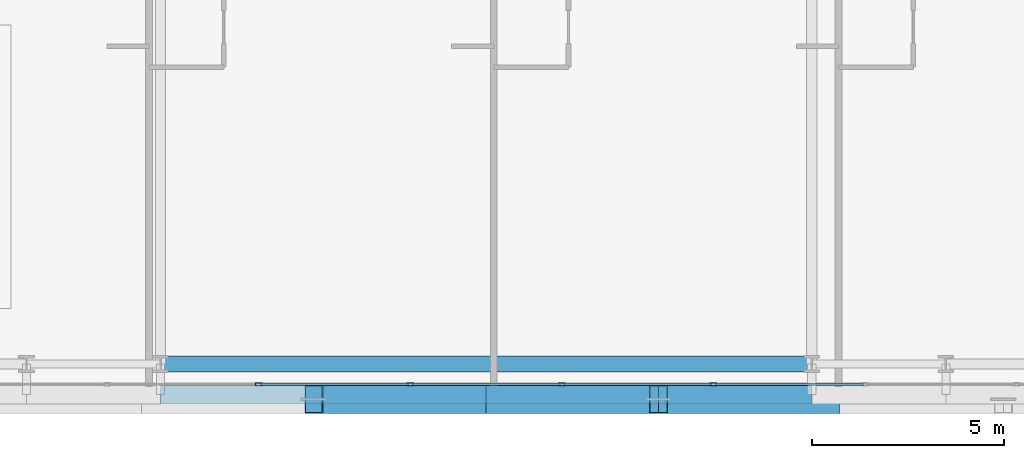
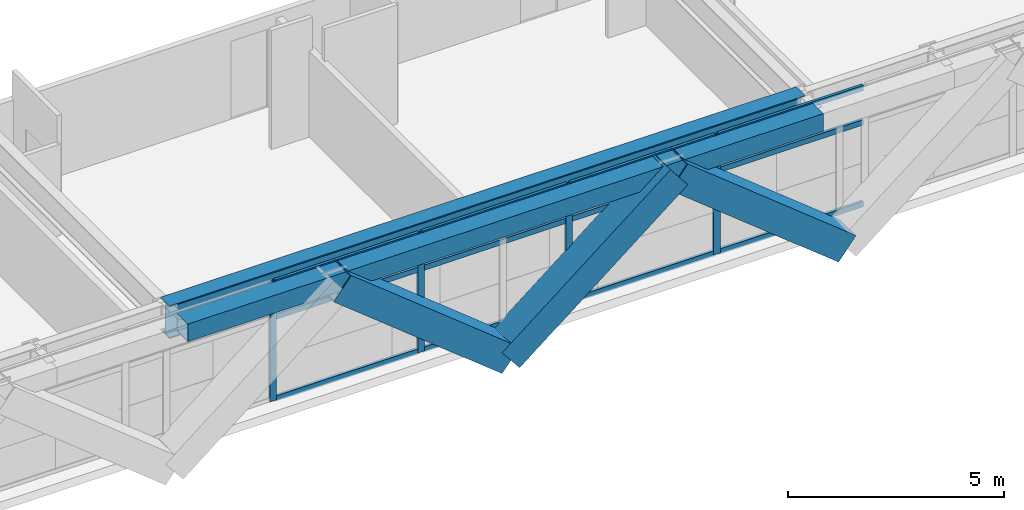
# One storey, part 5 of 34: 19 members, 2 beams, 1 element without a shape of its own.
"""IFC4 building model written with IfcOpenShell, lengths in metres."""

from ifc_helpers import new_model, si_unit, direction, frame, origin, origin_2d, place, context, subcontext, project, spatial, hollow_rectangle, i_section, extrude, source, transform, mapped, material, layer, layer_set, material_profile, profile_set, type_object, element, aggregate, save


model = new_model("IFC4")

# Units and contexts
model_context = context("Model", 3, precision=1e-05, world=origin(), true_north=direction((0.0, 1.0)))
body_context = subcontext(model_context, "Body", "Model", "MODEL_VIEW")
ifc_project = project(units=[si_unit("LENGTHUNIT", "METRE"), si_unit("AREAUNIT", "SQUARE_METRE"), si_unit("VOLUMEUNIT", "CUBIC_METRE"), si_unit("PLANEANGLEUNIT", "RADIAN"), si_unit("MASSUNIT", "GRAM", prefix="KILO")], contexts=[model_context])

# Site, building, storey
site_placement = place(None, origin())
site = spatial("IfcSite", under=ifc_project, at=site_placement, CompositionType="ELEMENT")
building_placement = place(site_placement, origin())
building = spatial("IfcBuilding", under=site, at=building_placement, Name="Ocotamira Hotel", CompositionType="ELEMENT")
storey_placement = place(building_placement, frame((0.0, 0.0, 111.60009765625)))
storey = spatial("IfcBuildingStorey", under=building, at=storey_placement, Name="L27", CompositionType="ELEMENT", Elevation=111.60009765625)

# Beams
ifc_material_1 = material(Name="Steel ASTM A992 Grade 50", Category="steel")
ifc_material_profile_1 = material_profile(ifc_material_1, i_section(OverallWidth=0.41796875, OverallDepth=0.927001953125, WebThickness=0.019287109375, FlangeThickness=0.031982421875, FilletRadius=0.02392578125, at=origin_2d()), Name="W36X231")
ifc_profile_set_1 = profile_set([ifc_material_profile_1], Name="Steel ASTM A992 Grade 50")
beam_type_1 = type_object("IfcBeamType", Name="BM-GIRD-W36X231", PredefinedType="BEAM", material=ifc_profile_set_1)
shared_shape_1 = source(origin(), body_context, "Body", "SweptSolid", [
    extrude(i_section(OverallWidth=0.41796875, OverallDepth=0.927001953125, WebThickness=0.019287109375, FlangeThickness=0.031982421875, FilletRadius=0.02392578125, at=origin_2d()), origin(), (0.0, 0.0, 1.0), 17.0),
])
beam_1_placement = place(storey_placement, frame((23.5, 2.949951171875, 2.896484375), z_axis=(1.0, 0.0, 0.0), x_axis=(0.0, 1.0, 0.0)))
element("IfcBeam", 1, at=beam_1_placement, inside=storey, type_object=beam_type_1, Name="L27 Girder Y2.95 X23.5-40.5", PredefinedType="BEAM", context=body_context, shape_type="MappedRepresentation", body=[
    mapped(shared_shape_1, transform((0.0, 0.0, 0.0), scale=1.0)),
])
ifc_material_2 = material(Name="Steel ASTM A500 Grade C", Category="steel")
ifc_material_profile_2 = material_profile(ifc_material_2, hollow_rectangle(XDim=0.5, YDim=0.5, WallThickness=0.02001953125, at=origin_2d()), Name="HSS500X500X20")
ifc_profile_set_2 = profile_set([ifc_material_profile_2], Name="Steel ASTM A500 Grade C")
beam_type_2 = type_object("IfcBeamType", Name="BM-SPAN-HSS500", PredefinedType="USERDEFINED", material=ifc_profile_set_2)
shared_shape_2 = source(origin(), body_context, "Body", "SweptSolid", [
    extrude(hollow_rectangle(XDim=0.5, YDim=0.5, WallThickness=0.02001953125, at=origin_2d()), origin(), (0.0, 0.0, 1.0), 17.0),
])
beam_2_placement = place(storey_placement, frame((23.5, 2.14990234375, 3.10986328125), z_axis=(1.0, 0.0, 0.0), x_axis=(0.0, 1.0, 0.0)))
element("IfcBeam", 2, at=beam_2_placement, inside=storey, type_object=beam_type_2, Name="L27 Edge Spandrel S X23.5-40.5", ObjectType="SPANDREL", PredefinedType="USERDEFINED", context=body_context, shape_type="MappedRepresentation", body=[
    mapped(shared_shape_2, transform((0.0, 0.0, 0.0), scale=1.0)),
])

# Members
ifc_material_3 = material(Name="Pale-metal coated steel ASTM A913 Grade 65", Category="steel")
ifc_material_profile_3 = material_profile(ifc_material_3, hollow_rectangle(XDim=0.75, YDim=0.75, WallThickness=0.028076171875, at=origin_2d()), Name="BOX750X750X28")
ifc_profile_set_3 = profile_set([ifc_material_profile_3], Name="Pale-metal coated steel ASTM A913 Grade 65")
member_type_1 = type_object("IfcMemberType", Name="MEM-EXO-BOX750", PredefinedType="BRACE", material=ifc_profile_set_3)
shared_shape_3 = source(origin(), body_context, "Body", "SweptSolid", [
    extrude(hollow_rectangle(XDim=0.75, YDim=0.75, WallThickness=0.028076171875, at=origin_2d()), origin(), (0.0, 0.0, 1.0), 5.7626953125),
])
for number, where, z_axis, x_axis, name in (
    (3, (32.0, 2.030029296875, -0.489990234375), (-0.780881208953, 0.0, 0.624679547852), (0.0, -1.0, 0.0), "L27 Exoskeleton Diagrid S1.2"),
    (4, (32.0, 2.030029296875, -0.489990234375), (0.780881208953, 0.0, 0.624679547852), (0.0, 1.0, 0.0), "L27 Exoskeleton Diagrid S2.1"),
    (5, (41.0, 2.030029296875, -0.489990234375), (-0.780881208953, 0.0, 0.624679547852), (0.0, -1.0, 0.0), "L27 Exoskeleton Diagrid S2.2"),
):
    element("IfcMember", number, at=place(storey_placement, frame(where, z_axis=z_axis, x_axis=x_axis)), inside=storey, type_object=member_type_1, Name=name, PredefinedType="BRACE", context=body_context, shape_type="MappedRepresentation", body=[
        mapped(shared_shape_3, transform((0.0, 0.0, 0.0), scale=1.0)),
    ])

# Curtain wall, members
ifc_material_4 = material(Name="Anodised pale-metal aluminium and solar glass", Category="aluminium")
ifc_layer = layer(ifc_material_4, 0.179931640625)
ifc_layer_set = layer_set([ifc_layer], Name="Anodised pale-metal aluminium and solar glass")
curtain_wall_type = type_object("IfcCurtainWallType", Name="CW-SYS3-Z2", PredefinedType="NOTDEFINED", material=ifc_layer_set)
curtain_wall_placement = place(storey_placement, origin())
curtain_wall = element("IfcCurtainWall", 6, at=curtain_wall_placement, inside=storey, type_object=curtain_wall_type, Name="L27 Curtain Wall CW-3 CW-L27-S1", PredefinedType="NOTDEFINED")
ifc_material_5 = material(Name="Anodised pale-metal aluminium 6063-T6", Category="aluminium")
ifc_material_profile_4 = material_profile(ifc_material_5, hollow_rectangle(XDim=0.074951171875, YDim=0.14990234375, WallThickness=0.006103515625, at=origin_2d()), Name="HSS150X75X6")
ifc_profile_set_4 = profile_set([ifc_material_profile_4], Name="Anodised pale-metal aluminium 6063-T6")
member_type_2 = type_object("IfcMemberType", Name="CWT-150X75", PredefinedType="USERDEFINED", material=ifc_profile_set_4)
shared_shape_4 = source(origin(), body_context, "Body", "SweptSolid", [
    extrude(hollow_rectangle(XDim=0.074951171875, YDim=0.14990234375, WallThickness=0.006103515625, at=origin_2d()), origin(), (0.0, 0.0, 1.0), 3.87548828125),
])
member_1_placement = place(storey_placement, frame((26.106689453125, 2.419921875, 0.037353515625), z_axis=(1.0, 0.0, 0.0), x_axis=(0.0, 1.0, 0.0)))
member_1 = element("IfcMember", 7, at=member_1_placement, type_object=member_type_2, Name="CW-3 transom 4.1", ObjectType="TRANSOM", PredefinedType="USERDEFINED", context=body_context, shape_type="MappedRepresentation", body=[
    mapped(shared_shape_4, transform((0.0, 0.0, 0.0), scale=1.0)),
])
member_2_placement = place(storey_placement, frame((26.106689453125, 2.419921875, 2.349853515625), z_axis=(1.0, 0.0, 0.0), x_axis=(0.0, 1.0, 0.0)))
member_2 = element("IfcMember", 8, at=member_2_placement, type_object=member_type_2, Name="CW-3 transom 4.2", ObjectType="TRANSOM", PredefinedType="USERDEFINED", context=body_context, shape_type="MappedRepresentation", body=[
    mapped(shared_shape_4, transform((0.0, 0.0, 0.0), scale=1.0)),
])
member_3_placement = place(storey_placement, frame((26.106689453125, 2.419921875, 3.322509765625), z_axis=(1.0, 0.0, 0.0), x_axis=(0.0, 1.0, 0.0)))
member_3 = element("IfcMember", 9, at=member_3_placement, type_object=member_type_2, Name="CW-3 transom 4.3", ObjectType="TRANSOM", PredefinedType="USERDEFINED", context=body_context, shape_type="MappedRepresentation", body=[
    mapped(shared_shape_4, transform((0.0, 0.0, 0.0), scale=1.0)),
])
member_4_placement = place(storey_placement, frame((30.062255859375, 2.419921875, 0.037353515625), z_axis=(1.0, 0.0, 0.0), x_axis=(0.0, 1.0, 0.0)))
member_4 = element("IfcMember", 10, at=member_4_placement, type_object=member_type_2, Name="CW-3 transom 5.1", ObjectType="TRANSOM", PredefinedType="USERDEFINED", context=body_context, shape_type="MappedRepresentation", body=[
    mapped(shared_shape_4, transform((0.0, 0.0, 0.0), scale=1.0)),
])
member_5_placement = place(storey_placement, frame((30.062255859375, 2.419921875, 2.349853515625), z_axis=(1.0, 0.0, 0.0), x_axis=(0.0, 1.0, 0.0)))
member_5 = element("IfcMember", 11, at=member_5_placement, type_object=member_type_2, Name="CW-3 transom 5.2", ObjectType="TRANSOM", PredefinedType="USERDEFINED", context=body_context, shape_type="MappedRepresentation", body=[
    mapped(shared_shape_4, transform((0.0, 0.0, 0.0), scale=1.0)),
])
member_6_placement = place(storey_placement, frame((30.062255859375, 2.419921875, 3.322509765625), z_axis=(1.0, 0.0, 0.0), x_axis=(0.0, 1.0, 0.0)))
member_6 = element("IfcMember", 12, at=member_6_placement, type_object=member_type_2, Name="CW-3 transom 5.3", ObjectType="TRANSOM", PredefinedType="USERDEFINED", context=body_context, shape_type="MappedRepresentation", body=[
    mapped(shared_shape_4, transform((0.0, 0.0, 0.0), scale=1.0)),
])
member_7_placement = place(storey_placement, frame((34.017822265625, 2.419921875, 0.037353515625), z_axis=(1.0, 0.0, 0.0), x_axis=(0.0, 1.0, 0.0)))
member_7 = element("IfcMember", 13, at=member_7_placement, type_object=member_type_2, Name="CW-3 transom 6.1", ObjectType="TRANSOM", PredefinedType="USERDEFINED", context=body_context, shape_type="MappedRepresentation", body=[
    mapped(shared_shape_4, transform((0.0, 0.0, 0.0), scale=1.0)),
])
member_8_placement = place(storey_placement, frame((34.017822265625, 2.419921875, 2.349853515625), z_axis=(1.0, 0.0, 0.0), x_axis=(0.0, 1.0, 0.0)))
member_8 = element("IfcMember", 14, at=member_8_placement, type_object=member_type_2, Name="CW-3 transom 6.2", ObjectType="TRANSOM", PredefinedType="USERDEFINED", context=body_context, shape_type="MappedRepresentation", body=[
    mapped(shared_shape_4, transform((0.0, 0.0, 0.0), scale=1.0)),
])
member_9_placement = place(storey_placement, frame((34.017822265625, 2.419921875, 3.322509765625), z_axis=(1.0, 0.0, 0.0), x_axis=(0.0, 1.0, 0.0)))
member_9 = element("IfcMember", 15, at=member_9_placement, type_object=member_type_2, Name="CW-3 transom 6.3", ObjectType="TRANSOM", PredefinedType="USERDEFINED", context=body_context, shape_type="MappedRepresentation", body=[
    mapped(shared_shape_4, transform((0.0, 0.0, 0.0), scale=1.0)),
])
member_10_placement = place(storey_placement, frame((37.973388671875, 2.419921875, 0.037353515625), z_axis=(1.0, 0.0, 0.0), x_axis=(0.0, 1.0, 0.0)))
member_10 = element("IfcMember", 16, at=member_10_placement, type_object=member_type_2, Name="CW-3 transom 7.1", ObjectType="TRANSOM", PredefinedType="USERDEFINED", context=body_context, shape_type="MappedRepresentation", body=[
    mapped(shared_shape_4, transform((0.0, 0.0, 0.0), scale=1.0)),
])
member_11_placement = place(storey_placement, frame((37.973388671875, 2.419921875, 2.349853515625), z_axis=(1.0, 0.0, 0.0), x_axis=(0.0, 1.0, 0.0)))
member_11 = element("IfcMember", 17, at=member_11_placement, type_object=member_type_2, Name="CW-3 transom 7.2", ObjectType="TRANSOM", PredefinedType="USERDEFINED", context=body_context, shape_type="MappedRepresentation", body=[
    mapped(shared_shape_4, transform((0.0, 0.0, 0.0), scale=1.0)),
])
member_12_placement = place(storey_placement, frame((37.973388671875, 2.419921875, 3.322509765625), z_axis=(1.0, 0.0, 0.0), x_axis=(0.0, 1.0, 0.0)))
member_12 = element("IfcMember", 18, at=member_12_placement, type_object=member_type_2, Name="CW-3 transom 7.3", ObjectType="TRANSOM", PredefinedType="USERDEFINED", context=body_context, shape_type="MappedRepresentation", body=[
    mapped(shared_shape_4, transform((0.0, 0.0, 0.0), scale=1.0)),
])
ifc_material_profile_5 = material_profile(ifc_material_5, hollow_rectangle(XDim=0.080078125, YDim=0.179931640625, WallThickness=0.006103515625, at=origin_2d()), Name="HSS180X80X6")
ifc_profile_set_5 = profile_set([ifc_material_profile_5], Name="Anodised pale-metal aluminium 6063-T6")
member_type_3 = type_object("IfcMemberType", Name="CWM-180X75", PredefinedType="MULLION", material=ifc_profile_set_5)
shared_shape_5 = source(origin(), body_context, "Body", "SweptSolid", [
    extrude(hollow_rectangle(XDim=0.080078125, YDim=0.179931640625, WallThickness=0.006103515625, at=origin_2d()), origin(), (0.0, 0.0, 1.0), 3.35986328125),
])
member_13_placement = place(storey_placement, frame((26.066650390625, 2.419921875, 0.0), z_axis=(0.0, 0.0, 1.0), x_axis=(0.0, 1.0, 0.0)))
member_13 = element("IfcMember", 19, at=member_13_placement, type_object=member_type_3, Name="CW-3 mullion 4", PredefinedType="MULLION", context=body_context, shape_type="MappedRepresentation", body=[
    mapped(shared_shape_5, transform((0.0, 0.0, 0.0), scale=1.0)),
])
member_14_placement = place(storey_placement, frame((30.022216796875, 2.419921875, 0.0), z_axis=(0.0, 0.0, 1.0), x_axis=(0.0, 1.0, 0.0)))
member_14 = element("IfcMember", 20, at=member_14_placement, type_object=member_type_3, Name="CW-3 mullion 5", PredefinedType="MULLION", context=body_context, shape_type="MappedRepresentation", body=[
    mapped(shared_shape_5, transform((0.0, 0.0, 0.0), scale=1.0)),
])
member_15_placement = place(storey_placement, frame((33.977783203125, 2.419921875, 0.0), z_axis=(0.0, 0.0, 1.0), x_axis=(0.0, 1.0, 0.0)))
member_15 = element("IfcMember", 21, at=member_15_placement, type_object=member_type_3, Name="CW-3 mullion 6", PredefinedType="MULLION", context=body_context, shape_type="MappedRepresentation", body=[
    mapped(shared_shape_5, transform((0.0, 0.0, 0.0), scale=1.0)),
])
member_16_placement = place(storey_placement, frame((37.933349609375, 2.419921875, 0.0), z_axis=(0.0, 0.0, 1.0), x_axis=(0.0, 1.0, 0.0)))
member_16 = element("IfcMember", 22, at=member_16_placement, type_object=member_type_3, Name="CW-3 mullion 7", PredefinedType="MULLION", context=body_context, shape_type="MappedRepresentation", body=[
    mapped(shared_shape_5, transform((0.0, 0.0, 0.0), scale=1.0)),
])
aggregate(curtain_wall, [member_13, member_14, member_15, member_16, member_1, member_2, member_3, member_4, member_5, member_6, member_7, member_8, member_9, member_10, member_11, member_12])

save(model, "model.ifc")
